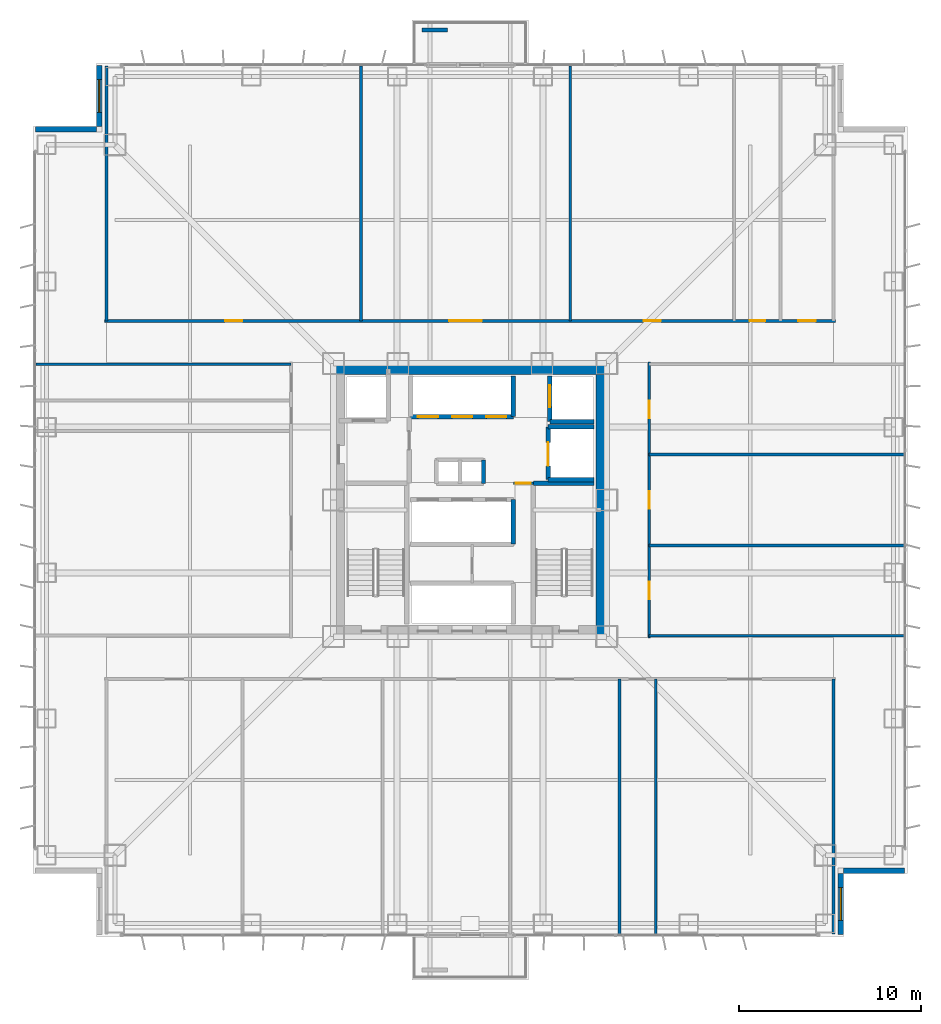
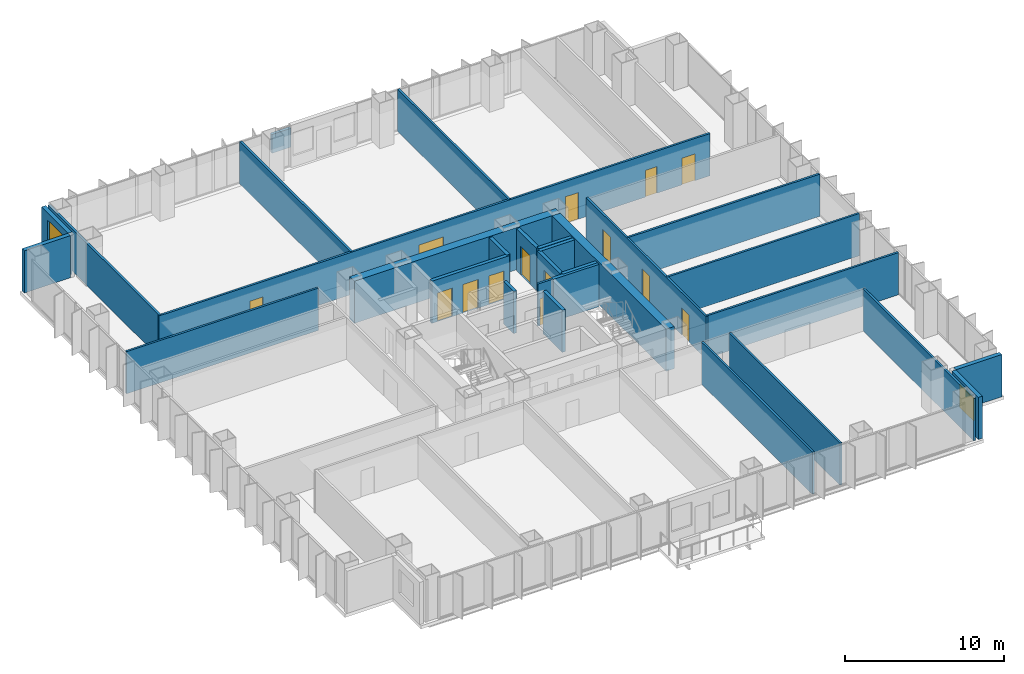
# One storey, part 15 of 21: 30 walls, 14 doors, 2 windows, 16 openings.
"""IFC4 building model written with IfcOpenShell, lengths in metres."""

import ifcopenshell
import ifcopenshell.guid

model = None  # the IFC model being written
_history = None  # IfcOwnerHistory: only IFC2X3 demands one
_inside = {}  # id of a spatial element -> (the spatial element, [elements in it])
_under = {}  # id of a project, library or spatial element -> (it, [spatial elements below it])
_declared = {}  # id of a project -> (the project, [libraries it declares])
_typed = {}  # id of a type object -> (the type object, [elements of that type])
_made_of = {}  # id of a material, layer set ... -> (it, [elements and type objects made of it])


def new_model(schema):
    """Start an empty IFC model of exactly this schema.

    Asked for "IFC4X3", IfcOpenShell would pick the latest addendum, in which some entities
    have other attributes; the version numbers below select the first issue.
    IFC2X3 requires an IfcOwnerHistory on every rooted entity: one is made here for all.
    """
    global model, _history
    if schema == "IFC4X3":
        model = ifcopenshell.file(schema_version=(4, 3, 0, 0))
    else:
        model = ifcopenshell.file(schema=schema)
    _inside.clear()
    _under.clear()
    _declared.clear()
    _typed.clear()
    _made_of.clear()
    _history = None
    if model.schema == "IFC2X3":
        org = make("IfcOrganization", Name="unknown")
        user = make(
            "IfcPersonAndOrganization",
            ThePerson=make("IfcPerson", FamilyName="unknown"),
            TheOrganization=org,
        )
        app = make(
            "IfcApplication",
            ApplicationDeveloper=org,
            Version="unknown",
            ApplicationFullName="unknown",
            ApplicationIdentifier="unknown",
        )
        _history = make(
            "IfcOwnerHistory",
            OwningUser=user,
            OwningApplication=app,
            ChangeAction="ADDED",
            CreationDate=0,
        )
    return model


def make(cls, **values):
    """One entity of the class cls with the attributes given. An attribute that is None is left unset."""
    return model.create_entity(
        cls, **{name: value for name, value in values.items() if value is not None}
    )


def rooted(cls, **values):
    """An entity with a GlobalId (a new one), such as an element, a storey or a relation."""
    return make(cls, GlobalId=ifcopenshell.guid.new(), OwnerHistory=_history, **values)


def si_unit(unit_type, name, prefix=None):
    """IfcSIUnit, for example si_unit("LENGTHUNIT", "METRE", prefix="MILLI")."""
    return make("IfcSIUnit", UnitType=unit_type, Prefix=prefix, Name=name)


def assignment(units):
    """IfcUnitAssignment: the units of a project."""
    return None if units is None else make("IfcUnitAssignment", Units=units)


def point(xyz):
    """IfcCartesianPoint."""
    return None if xyz is None else make("IfcCartesianPoint", Coordinates=xyz)


def direction(xyz):
    """IfcDirection."""
    return None if xyz is None else make("IfcDirection", DirectionRatios=xyz)


def frame(location, z_axis=None, x_axis=None):
    """IfcAxis2Placement3D, a coordinate frame: its origin and axes. An axis left out is left unset."""
    return make(
        "IfcAxis2Placement3D",
        Location=point(location),
        Axis=direction(z_axis),
        RefDirection=direction(x_axis),
    )


def frame_2d(location, x_axis=None):
    """IfcAxis2Placement2D, a coordinate frame in the plane: its origin and x axis."""
    return make(
        "IfcAxis2Placement2D", Location=point(location), RefDirection=direction(x_axis)
    )


def origin():
    """The frame at (0, 0, 0) with its axes left unset."""
    return frame((0.0, 0.0, 0.0))


def place(relative_to, where):
    """IfcLocalPlacement: puts the frame where relative to a parent placement (None: the world)."""
    return make(
        "IfcLocalPlacement", PlacementRelTo=relative_to, RelativePlacement=where
    )


def context(
    kind, dimensions, precision=None, world=None, true_north=None, identifier=None
):
    """IfcGeometricRepresentationContext, for example the 3D "Model" context."""
    return make(
        "IfcGeometricRepresentationContext",
        ContextIdentifier=identifier,
        ContextType=kind,
        CoordinateSpaceDimension=dimensions,
        Precision=precision,
        WorldCoordinateSystem=world,
        TrueNorth=true_north,
    )


def subcontext(parent, identifier, kind, view, scale=None):
    """IfcGeometricRepresentationSubContext, for example "Body" below "Model"."""
    return make(
        "IfcGeometricRepresentationSubContext",
        ContextIdentifier=identifier,
        ContextType=kind,
        ParentContext=parent,
        TargetScale=scale,
        TargetView=view,
    )


def project(units=None, contexts=None):
    """IfcProject with its units and contexts."""
    return rooted(
        "IfcProject",
        Name="project",
        RepresentationContexts=contexts,
        UnitsInContext=assignment(units),
    )


def spatial(cls, under=None, at=None, **own):
    """A site, building, storey or space (cls), placed at a placement, below another one or the project."""
    s = rooted(cls, ObjectPlacement=at, **own)
    if under is not None:
        _under.setdefault(under.id(), (under, []))[1].append(s)
    return s


def profile(cls, at=None, kind="AREA", **sizes):
    """A parametric profile (cls). Its sizes go by their IFC names, for example OverallWidth=200.0."""
    return make(cls, ProfileType=kind, Position=at, **sizes)


def rectangle(**sizes):
    """IfcRectangleProfileDef."""
    return profile("IfcRectangleProfileDef", **sizes)


def extrude(swept, where, along, depth):
    """IfcExtrudedAreaSolid: the profile swept, set in the frame where, extruded along a direction by depth."""
    return make(
        "IfcExtrudedAreaSolid",
        SweptArea=swept,
        Position=where,
        ExtrudedDirection=direction(along),
        Depth=depth,
    )


def shape(context_of_items, identifier, shape_type, items):
    """IfcShapeRepresentation: the items that make up one representation, for example the "Body"."""
    return make(
        "IfcShapeRepresentation",
        ContextOfItems=context_of_items,
        RepresentationIdentifier=identifier,
        RepresentationType=shape_type,
        Items=items,
    )


def material(Name=None, Category=None):
    """IfcMaterial."""
    return make("IfcMaterial", Name=Name, Category=Category)


def layer(
    of_material, thickness, ventilated=None, Name=None, Category=None, Priority=None
):
    """IfcMaterialLayer: one layer of a wall or slab, of a material (None: an air gap)."""
    return make(
        "IfcMaterialLayer",
        Material=of_material,
        LayerThickness=thickness,
        IsVentilated=ventilated,
        Name=Name,
        Category=Category,
        Priority=Priority,
    )


def layer_set(layers, Name=None):
    """IfcMaterialLayerSet."""
    return make("IfcMaterialLayerSet", MaterialLayers=layers, LayerSetName=Name)


def made_of(thing, what):
    """Note that an element or type object is made of a material, layer set ...; save() writes the relation."""
    if what is not None:
        _made_of.setdefault(what.id(), (what, []))[1].append(thing)
    return thing


def type_object(cls, material=None, **own):
    """A type object (cls), such as IfcWallType, which elements share."""
    return made_of(rooted(cls, **own), material)


def element(
    cls,
    number,
    at=None,
    inside=None,
    cuts=None,
    type_object=None,
    material=None,
    context=None,
    identifier="Body",
    shape_type=None,
    held_by="IfcProductDefinitionShape",
    body=None,
    shapes=None,
    **own,
):
    """One element of the class cls, such as IfcWall. Its Tag is "e" and its number.

    at: its placement. inside: the storey or other place that contains it. cuts: it is an
    opening in that element (IfcRelVoidsElement). A single representation is given by context,
    identifier, shape_type and body (its items); several are given by shapes. held_by: the class
    of the entity that holds the representations. save() writes the other relations.
    """
    e = rooted(cls, Tag="e%d" % number, ObjectPlacement=at, **own)
    if body is not None:
        shapes = [shape(context, identifier, shape_type, body)]
    if shapes is not None:
        e.Representation = make(held_by, Representations=shapes)
    if inside is not None:
        _inside.setdefault(inside.id(), (inside, []))[1].append(e)
    if cuts is not None:
        rooted(
            "IfcRelVoidsElement", RelatingBuildingElement=cuts, RelatedOpeningElement=e
        )
    if type_object is not None:
        _typed.setdefault(type_object.id(), (type_object, []))[1].append(e)
    return made_of(e, material)


def fill(opening, filler):
    """IfcRelFillsElement: the door or window that sits in an opening."""
    return rooted(
        "IfcRelFillsElement",
        RelatingOpeningElement=opening,
        RelatedBuildingElement=filler,
    )


def aggregate(whole, parts):
    """IfcRelAggregates: a whole, such as a stair, and the parts it consists of."""
    return rooted("IfcRelAggregates", RelatingObject=whole, RelatedObjects=parts)


def save(model, path):
    """Write the relations noted so far, then the file.

    IfcRelAggregates (storeys below a building ...), IfcRelContainedInSpatialStructure (elements
    in a storey), IfcRelDefinesByType, IfcRelAssociatesMaterial and IfcRelDeclares: one each for
    every whole, place, type object, material and project.
    """
    for whole, parts in _under.values():
        aggregate(whole, parts)
    for where, things in _inside.values():
        rooted(
            "IfcRelContainedInSpatialStructure",
            RelatedElements=things,
            RelatingStructure=where,
        )
    for kind, things in _typed.values():
        rooted("IfcRelDefinesByType", RelatedObjects=things, RelatingType=kind)
    for what, things in _made_of.values():
        rooted("IfcRelAssociatesMaterial", RelatedObjects=things, RelatingMaterial=what)
    for by, libraries in _declared.values():
        rooted("IfcRelDeclares", RelatingContext=by, RelatedDefinitions=libraries)
    model.write(path)


model = new_model("IFC4")

# Units and contexts
model_context = context("Model", 3, precision=1e-05, world=origin(), true_north=direction((0.0, 1.0)))
body_context = subcontext(model_context, "Body", "Model", "MODEL_VIEW")
ifc_project = project(units=[si_unit("LENGTHUNIT", "METRE"), si_unit("AREAUNIT", "SQUARE_METRE"), si_unit("VOLUMEUNIT", "CUBIC_METRE"), si_unit("PLANEANGLEUNIT", "RADIAN"), si_unit("MASSUNIT", "GRAM", prefix="KILO")], contexts=[model_context])

# Site, building, storey
site_placement = place(None, origin())
site = spatial("IfcSite", under=ifc_project, at=site_placement, CompositionType="ELEMENT")
building_placement = place(site_placement, origin())
building = spatial("IfcBuilding", under=site, at=building_placement, Name="Trevonay Congress Spire", CompositionType="ELEMENT")
storey_placement = place(building_placement, frame((0.0, 0.0, 37.5)))
storey = spatial("IfcBuildingStorey", under=building, at=storey_placement, Name="L08", CompositionType="ELEMENT", Elevation=37.5)

# Walls
ifc_material_1 = material(Name="Concrete C60/75", Category="concrete")
ifc_layer_1 = layer(ifc_material_1, 0.60009765625, Name="Concrete C60/75")
ifc_layer_set_1 = layer_set([ifc_layer_1], Name="Concrete C60/75")
wall_type_1 = type_object("IfcWallType", Name="WAL-CORE-600", PredefinedType="SHEAR", material=ifc_layer_set_1)
for number, where, z_axis, x_axis, name in (
    (1, (-7.5, 7.199951171875, 0.0), (0.0, 0.0, 1.0), (1.0, 0.0, 0.0), "L08 North structural core shear wall"),
    (2, (7.199951171875, -7.5, 0.0), (0.0, 0.0, 1.0), (0.0, 1.0, 0.0), "L08 East structural core shear wall"),
):
    element("IfcWall", number, at=place(storey_placement, frame(where, z_axis=z_axis, x_axis=x_axis)), inside=storey, type_object=wall_type_1, Name=name, PredefinedType="SHEAR", context=body_context, shape_type="SweptSolid", body=[
        extrude(rectangle(XDim=15.0, YDim=0.60009765625, at=frame_2d((7.5, 0.0))), origin(), (0.0, 0.0, 1.0), 3.25),
    ])

# Wall, openings, doors
ifc_material_2 = material(Name="Concrete C40/50", Category="concrete")
ifc_layer_2 = layer(ifc_material_2, 0.14990234375, Name="Concrete C40/50")
ifc_layer_set_2 = layer_set([ifc_layer_2], Name="Concrete C40/50")
wall_type_2 = type_object("IfcWallType", Name="WAL-CORR-150", PredefinedType="PARTITIONING", material=ifc_layer_set_2)
wall_1_placement = place(storey_placement, frame((-20.070068359375, 9.830078125, 0.0), z_axis=(0.0, 0.0, 1.0), x_axis=(1.0, 0.0, 0.0)))
wall_1 = element("IfcWall", 3, at=wall_1_placement, inside=storey, type_object=wall_type_2, Name="L08 interior wall WP-L08N-COR", PredefinedType="PARTITIONING", context=body_context, shape_type="SweptSolid", body=[
    extrude(rectangle(XDim=40.14013671875, YDim=0.14990234375, at=frame_2d((20.070068359375, 0.0))), origin(), (0.0, 0.0, 1.0), 3.25),
])
opening_1_placement = place(wall_1_placement, frame((6.6201171875, 0.0, 0.0)))
opening_1 = element("IfcOpeningElement", 4, at=opening_1_placement, cuts=wall_1, Name="Opening D07", PredefinedType="OPENING", context=body_context, shape_type="SweptSolid", body=[
    extrude(rectangle(XDim=0.949951171875, YDim=2.06005859375, at=frame_2d((0.47509765625, 1.030029296875))), frame((0.0, 0.0849609375, 0.0), z_axis=(0.0, -1.0, 0.0), x_axis=(1.0, 0.0, 0.0)), (0.0, 0.0, 1.0), 0.169921875),
])
opening_2_placement = place(wall_1_placement, frame((18.919921875, 0.0, 0.0)))
opening_2 = element("IfcOpeningElement", 5, at=opening_2_placement, cuts=wall_1, Name="Opening D09", PredefinedType="OPENING", context=body_context, shape_type="SweptSolid", body=[
    extrude(rectangle(XDim=1.800048828125, YDim=2.080078125, at=frame_2d((0.89990234375, 1.0400390625))), frame((0.0, 0.0849609375, 0.0), z_axis=(0.0, -1.0, 0.0), x_axis=(1.0, 0.0, 0.0)), (0.0, 0.0, 1.0), 0.169921875),
])
opening_3_placement = place(wall_1_placement, frame((29.594970703125, 0.0, 0.0)))
opening_3 = element("IfcOpeningElement", 6, at=opening_3_placement, cuts=wall_1, Name="Opening D07", PredefinedType="OPENING", context=body_context, shape_type="SweptSolid", body=[
    extrude(rectangle(XDim=0.949951171875, YDim=2.06005859375, at=frame_2d((0.47509765625, 1.030029296875))), frame((0.0, 0.0849609375, 0.0), z_axis=(0.0, -1.0, 0.0), x_axis=(1.0, 0.0, 0.0)), (0.0, 0.0, 1.0), 0.169921875),
])
opening_4_placement = place(wall_1_placement, frame((35.419921875, 0.0, 0.0)))
opening_4 = element("IfcOpeningElement", 7, at=opening_4_placement, cuts=wall_1, Name="Opening D10", PredefinedType="OPENING", context=body_context, shape_type="SweptSolid", body=[
    extrude(rectangle(XDim=0.85009765625, YDim=2.050048828125, at=frame_2d((0.425048828125, 1.02490234375))), frame((0.0, 0.0849609375, 0.0), z_axis=(0.0, -1.0, 0.0), x_axis=(1.0, 0.0, 0.0)), (0.0, 0.0, 1.0), 0.169921875),
])
opening_5_placement = place(wall_1_placement, frame((38.094970703125, 0.0, 0.0)))
opening_5 = element("IfcOpeningElement", 8, at=opening_5_placement, cuts=wall_1, Name="Opening D07", PredefinedType="OPENING", context=body_context, shape_type="SweptSolid", body=[
    extrude(rectangle(XDim=0.949951171875, YDim=2.06005859375, at=frame_2d((0.47509765625, 1.030029296875))), frame((0.0, 0.0849609375, 0.0), z_axis=(0.0, -1.0, 0.0), x_axis=(1.0, 0.0, 0.0)), (0.0, 0.0, 1.0), 0.169921875),
])
ifc_material_3 = material(Name="Pale Anodised Aluminium EN AW-6063-T6", Category="aluminium")
door_type_1 = type_object("IfcDoorType", Name="DOR-CONF-DBL", OperationType="DOUBLE_DOOR_SINGLE_SWING", PredefinedType="DOOR", material=ifc_material_3)
door_1_placement = place(opening_2_placement, origin())
door_1 = element("IfcDoor", 9, at=door_1_placement, inside=storey, type_object=door_type_1, Name="L08 Rapporteur Drafting Salon Door", OperationType="DOUBLE_DOOR_SINGLE_SWING", OverallHeight=2.080078125, OverallWidth=1.800048828125, PredefinedType="DOOR", context=body_context, shape_type="SweptSolid", body=[
    extrude(rectangle(XDim=1.800048828125, YDim=2.080078125, at=frame_2d((0.89990234375, 1.0400390625))), frame((0.0, 0.02490234375, 0.0), z_axis=(0.0, -1.0, 0.0), x_axis=(1.0, 0.0, 0.0)), (0.0, 0.0, 1.0), 0.050048828125),
])
fill(opening_2, door_1)
door_type_2 = type_object("IfcDoorType", Name="DOR-OFFICE-95", OperationType="NOTDEFINED", PredefinedType="DOOR", material=ifc_material_3)
door_2_placement = place(opening_1_placement, origin())
door_2 = element("IfcDoor", 10, at=door_2_placement, inside=storey, type_object=door_type_2, Name="L08 Translation Secretariat Office West Door", OperationType="SINGLE_SWING_RIGHT", OverallHeight=2.06005859375, OverallWidth=0.949951171875, PredefinedType="DOOR", context=body_context, shape_type="SweptSolid", body=[
    extrude(rectangle(XDim=0.949951171875, YDim=2.06005859375, at=frame_2d((0.47509765625, 1.030029296875))), frame((0.0, 0.02490234375, 0.0), z_axis=(0.0, -1.0, 0.0), x_axis=(1.0, 0.0, 0.0)), (0.0, 0.0, 1.0), 0.050048828125),
])
fill(opening_1, door_2)
door_3_placement = place(opening_3_placement, origin())
door_3 = element("IfcDoor", 11, at=door_3_placement, inside=storey, type_object=door_type_2, Name="L08 Congress Operations Office East Door", OperationType="SINGLE_SWING_LEFT", OverallHeight=2.06005859375, OverallWidth=0.949951171875, PredefinedType="DOOR", context=body_context, shape_type="SweptSolid", body=[
    extrude(rectangle(XDim=0.949951171875, YDim=2.06005859375, at=frame_2d((0.47509765625, 1.030029296875))), frame((0.0, 0.02490234375, 0.0), z_axis=(0.0, -1.0, 0.0), x_axis=(1.0, 0.0, 0.0)), (0.0, 0.0, 1.0), 0.050048828125),
])
fill(opening_3, door_3)
door_4_placement = place(opening_5_placement, origin())
door_4 = element("IfcDoor", 12, at=door_4_placement, inside=storey, type_object=door_type_2, Name="L08 Floor Supplies and Copy Room Door", OperationType="SINGLE_SWING_LEFT", OverallHeight=2.06005859375, OverallWidth=0.949951171875, PredefinedType="DOOR", context=body_context, shape_type="SweptSolid", body=[
    extrude(rectangle(XDim=0.949951171875, YDim=2.06005859375, at=frame_2d((0.47509765625, 1.030029296875))), frame((0.0, 0.02490234375, 0.0), z_axis=(0.0, -1.0, 0.0), x_axis=(1.0, 0.0, 0.0)), (0.0, 0.0, 1.0), 0.050048828125),
])
fill(opening_5, door_4)
door_type_3 = type_object("IfcDoorType", Name="DOR-WC-85", OperationType="NOTDEFINED", PredefinedType="DOOR", material=ifc_material_3)
door_5_placement = place(opening_4_placement, origin())
door_5 = element("IfcDoor", 13, at=door_5_placement, inside=storey, type_object=door_type_3, Name="L08 Female Restroom WC Door", OperationType="SINGLE_SWING_RIGHT", OverallHeight=2.050048828125, OverallWidth=0.85009765625, PredefinedType="DOOR", context=body_context, shape_type="SweptSolid", body=[
    extrude(rectangle(XDim=0.85009765625, YDim=2.050048828125, at=frame_2d((0.425048828125, 1.02490234375))), frame((0.0, 0.02490234375, 0.0), z_axis=(0.0, -1.0, 0.0), x_axis=(1.0, 0.0, 0.0)), (0.0, 0.0, 1.0), 0.050048828125),
])
fill(opening_4, door_5)

wall_2_placement = place(storey_placement, frame((9.830078125, -7.570068359375, 0.0), z_axis=(0.0, 0.0, 1.0), x_axis=(0.0, 1.0, 0.0)))
wall_2 = element("IfcWall", 14, at=wall_2_placement, inside=storey, type_object=wall_type_2, Name="L08 interior wall WP-L08E-COR", PredefinedType="PARTITIONING", context=body_context, shape_type="SweptSolid", body=[
    extrude(rectangle(XDim=15.14013671875, YDim=0.14990234375, at=frame_2d((7.570068359375, 0.0))), origin(), (0.0, 0.0, 1.0), 3.25),
])
opening_6_placement = place(wall_2_placement, frame((2.1201171875, 0.0, 0.0)))
opening_6 = element("IfcOpeningElement", 15, at=opening_6_placement, cuts=wall_2, Name="Opening D07", PredefinedType="OPENING", context=body_context, shape_type="SweptSolid", body=[
    extrude(rectangle(XDim=0.949951171875, YDim=2.06005859375, at=frame_2d((0.47509765625, 1.030029296875))), frame((0.0, 0.0849609375, 0.0), z_axis=(0.0, -1.0, 0.0), x_axis=(1.0, 0.0, 0.0)), (0.0, 0.0, 1.0), 0.169921875),
])
opening_7_placement = place(wall_2_placement, frame((7.094970703125, 0.0, 0.0)))
opening_7 = element("IfcOpeningElement", 16, at=opening_7_placement, cuts=wall_2, Name="Opening D07", PredefinedType="OPENING", context=body_context, shape_type="SweptSolid", body=[
    extrude(rectangle(XDim=0.949951171875, YDim=2.06005859375, at=frame_2d((0.47509765625, 1.030029296875))), frame((0.0, 0.0849609375, 0.0), z_axis=(0.0, -1.0, 0.0), x_axis=(1.0, 0.0, 0.0)), (0.0, 0.0, 1.0), 0.169921875),
])
opening_8_placement = place(wall_2_placement, frame((12.070068359375, 0.0, 0.0)))
opening_8 = element("IfcOpeningElement", 17, at=opening_8_placement, cuts=wall_2, Name="Opening D07", PredefinedType="OPENING", context=body_context, shape_type="SweptSolid", body=[
    extrude(rectangle(XDim=0.949951171875, YDim=2.06005859375, at=frame_2d((0.47509765625, 1.030029296875))), frame((0.0, 0.0849609375, 0.0), z_axis=(0.0, -1.0, 0.0), x_axis=(1.0, 0.0, 0.0)), (0.0, 0.0, 1.0), 0.169921875),
])
door_6_placement = place(opening_6_placement, origin())
door_6 = element("IfcDoor", 18, at=door_6_placement, inside=storey, type_object=door_type_2, Name="L08 Housekeeping and Linen Room Door", OperationType="SINGLE_SWING_RIGHT", OverallHeight=2.06005859375, OverallWidth=0.949951171875, PredefinedType="DOOR", context=body_context, shape_type="SweptSolid", body=[
    extrude(rectangle(XDim=0.949951171875, YDim=2.06005859375, at=frame_2d((0.47509765625, 1.030029296875))), frame((0.0, 0.02490234375, 0.0), z_axis=(0.0, -1.0, 0.0), x_axis=(1.0, 0.0, 0.0)), (0.0, 0.0, 1.0), 0.050048828125),
])
fill(opening_6, door_6)
door_7_placement = place(opening_7_placement, origin())
door_7 = element("IfcDoor", 19, at=door_7_placement, inside=storey, type_object=door_type_2, Name="L08 Hotel Business Office Door", OperationType="SINGLE_SWING_LEFT", OverallHeight=2.06005859375, OverallWidth=0.949951171875, PredefinedType="DOOR", context=body_context, shape_type="SweptSolid", body=[
    extrude(rectangle(XDim=0.949951171875, YDim=2.06005859375, at=frame_2d((0.47509765625, 1.030029296875))), frame((0.0, 0.02490234375, 0.0), z_axis=(0.0, -1.0, 0.0), x_axis=(1.0, 0.0, 0.0)), (0.0, 0.0, 1.0), 0.050048828125),
])
fill(opening_7, door_7)
door_8_placement = place(opening_8_placement, origin())
door_8 = element("IfcDoor", 20, at=door_8_placement, inside=storey, type_object=door_type_2, Name="L08 Valet Laundry Room Door", OperationType="SINGLE_SWING_RIGHT", OverallHeight=2.06005859375, OverallWidth=0.949951171875, PredefinedType="DOOR", context=body_context, shape_type="SweptSolid", body=[
    extrude(rectangle(XDim=0.949951171875, YDim=2.06005859375, at=frame_2d((0.47509765625, 1.030029296875))), frame((0.0, 0.02490234375, 0.0), z_axis=(0.0, -1.0, 0.0), x_axis=(1.0, 0.0, 0.0)), (0.0, 0.0, 1.0), 0.050048828125),
])
fill(opening_8, door_8)

# Wall, opening, window
ifc_material_4 = material(Name="Precast concrete C40/50", Category="concrete")
ifc_layer_3 = layer(ifc_material_4, 0.300048828125, Name="Precast concrete C40/50")
ifc_layer_set_3 = layer_set([ifc_layer_3], Name="Precast concrete C40/50")
wall_type_3 = type_object("IfcWallType", Name="WAL-EXT-PRECAST-300", PredefinedType="SOLIDWALL", material=ifc_layer_set_3)
wall_3_placement = place(storey_placement, frame((20.35009765625, -23.85009765625, 0.0), z_axis=(0.0, 0.0, 1.0), x_axis=(0.0, 1.0, 0.0)))
wall_3 = element("IfcWall", 21, at=wall_3_placement, inside=storey, type_object=wall_type_3, Name="L08 SE re-entrant notch exterior wall 1", PredefinedType="SOLIDWALL", context=body_context, shape_type="SweptSolid", body=[
    extrude(rectangle(XDim=3.35009765625, YDim=0.300048828125, at=frame_2d((1.675048828125, 0.0))), origin(), (0.0, 0.0, 1.0), 3.25),
])
opening_9_placement = place(wall_3_placement, frame((0.77490234375, 0.0, 0.89990234375)))
opening_9 = element("IfcOpeningElement", 22, at=opening_9_placement, cuts=wall_3, Name="Opening WN01", PredefinedType="OPENING", context=body_context, shape_type="SweptSolid", body=[
    extrude(rectangle(XDim=1.800048828125, YDim=1.800048828125, at=frame_2d((0.89990234375, 0.89990234375))), frame((0.0, 0.16015625, 0.0), z_axis=(0.0, -1.0, 0.0), x_axis=(1.0, 0.0, 0.0)), (0.0, 0.0, 1.0), 0.320068359375),
])
ifc_material_5 = material(Name="Insulated Low-E Vision Glass IGU", Category="glass")
window_type = type_object("IfcWindowType", Name="WIN-HOTEL-180X180", PartitioningType="SINGLE_PANEL", PredefinedType="WINDOW", material=ifc_material_5)
window_1_placement = place(opening_9_placement, origin())
window_1 = element("IfcWindow", 23, at=window_1_placement, inside=storey, type_object=window_type, Name="L08 SE corner notch window", OverallHeight=1.800048828125, OverallWidth=1.800048828125, PartitioningType="SINGLE_PANEL", PredefinedType="WINDOW", context=body_context, shape_type="SweptSolid", body=[
    extrude(rectangle(XDim=1.800048828125, YDim=1.800048828125, at=frame_2d((0.89990234375, 0.89990234375))), frame((0.0, 0.030029296875, 0.0), z_axis=(0.0, -1.0, 0.0), x_axis=(1.0, 0.0, 0.0)), (0.0, 0.0, 1.0), 0.06005859375),
])
fill(opening_9, window_1)

# Wall
wall_4_placement = place(storey_placement, frame((23.85009765625, -20.35009765625, 0.0), z_axis=(0.0, 0.0, 1.0), x_axis=(-1.0, 0.0, 0.0)))
element("IfcWall", 24, at=wall_4_placement, inside=storey, type_object=wall_type_3, Name="L08 SE re-entrant notch exterior wall 2", PredefinedType="SOLIDWALL", context=body_context, shape_type="SweptSolid", body=[
    extrude(rectangle(XDim=3.35009765625, YDim=0.300048828125, at=frame_2d((1.675048828125, 0.0))), origin(), (0.0, 0.0, 1.0), 3.25),
])

# Wall, opening, window
wall_5_placement = place(storey_placement, frame((-20.35009765625, 23.85009765625, 0.0), z_axis=(0.0, 0.0, 1.0), x_axis=(0.0, -1.0, 0.0)))
wall_5 = element("IfcWall", 25, at=wall_5_placement, inside=storey, type_object=wall_type_3, Name="L08 NW re-entrant notch exterior wall 1", PredefinedType="SOLIDWALL", context=body_context, shape_type="SweptSolid", body=[
    extrude(rectangle(XDim=3.35009765625, YDim=0.300048828125, at=frame_2d((1.675048828125, 0.0))), origin(), (0.0, 0.0, 1.0), 3.25),
])
opening_10_placement = place(wall_5_placement, frame((0.77490234375, 0.0, 0.89990234375)))
opening_10 = element("IfcOpeningElement", 26, at=opening_10_placement, cuts=wall_5, Name="Opening WN01", PredefinedType="OPENING", context=body_context, shape_type="SweptSolid", body=[
    extrude(rectangle(XDim=1.800048828125, YDim=1.800048828125, at=frame_2d((0.89990234375, 0.89990234375))), frame((0.0, 0.16015625, 0.0), z_axis=(0.0, -1.0, 0.0), x_axis=(1.0, 0.0, 0.0)), (0.0, 0.0, 1.0), 0.320068359375),
])
window_2_placement = place(opening_10_placement, origin())
window_2 = element("IfcWindow", 27, at=window_2_placement, inside=storey, type_object=window_type, Name="L08 NW corner notch window", OverallHeight=1.800048828125, OverallWidth=1.800048828125, PartitioningType="SINGLE_PANEL", PredefinedType="WINDOW", context=body_context, shape_type="SweptSolid", body=[
    extrude(rectangle(XDim=1.800048828125, YDim=1.800048828125, at=frame_2d((0.89990234375, 0.89990234375))), frame((0.0, 0.030029296875, 0.0), z_axis=(0.0, -1.0, 0.0), x_axis=(1.0, 0.0, 0.0)), (0.0, 0.0, 1.0), 0.06005859375),
])
fill(opening_10, window_2)

# Wall
wall_6_placement = place(storey_placement, frame((-23.85009765625, 20.35009765625, 0.0), z_axis=(0.0, 0.0, 1.0), x_axis=(1.0, 0.0, 0.0)))
element("IfcWall", 28, at=wall_6_placement, inside=storey, type_object=wall_type_3, Name="L08 NW re-entrant notch exterior wall 2", PredefinedType="SOLIDWALL", context=body_context, shape_type="SweptSolid", body=[
    extrude(rectangle(XDim=3.35009765625, YDim=0.300048828125, at=frame_2d((1.675048828125, 0.0))), origin(), (0.0, 0.0, 1.0), 3.25),
])

# Wall, opening, door
ifc_layer_4 = layer(ifc_material_2, 0.14990234375, Name="Concrete C40/50")
ifc_layer_set_4 = layer_set([ifc_layer_4], Name="Concrete C40/50")
wall_type_4 = type_object("IfcWallType", Name="WAL-PART-150", PredefinedType="PARTITIONING", material=ifc_layer_set_4)
wall_7_placement = place(storey_placement, frame((2.3798828125, 0.919921875, 0.0), z_axis=(0.0, 0.0, 1.0), x_axis=(1.0, 0.0, 0.0)))
wall_7 = element("IfcWall", 29, at=wall_7_placement, inside=storey, type_object=wall_type_4, Name="L08 interior wall CW-CSRV-N-L08", PredefinedType="PARTITIONING", context=body_context, shape_type="SweptSolid", body=[
    extrude(rectangle(XDim=1.090087890625, YDim=0.14990234375, at=frame_2d((0.544921875, 0.0))), origin(), (0.0, 0.0, 1.0), 3.25),
])
opening_11_placement = place(wall_7_placement, frame((0.135009765625, 0.0, 0.0)))
opening_11 = element("IfcOpeningElement", 30, at=opening_11_placement, cuts=wall_7, Name="Opening D13", PredefinedType="OPENING", context=body_context, shape_type="SweptSolid", body=[
    extrude(rectangle(XDim=0.820068359375, YDim=2.050048828125, at=frame_2d((0.41015625, 1.02490234375))), frame((0.0, 0.0849609375, 0.0), z_axis=(0.0, -1.0, 0.0), x_axis=(1.0, 0.0, 0.0)), (0.0, 0.0, 1.0), 0.169921875),
])
ifc_material_6 = material(Name="Steel ASTM A572 Grade 50", Category="steel")
door_type_4 = type_object("IfcDoorType", Name="DOR-UTIL-80", OperationType="NOTDEFINED", PredefinedType="DOOR", material=ifc_material_6)
door_9_placement = place(opening_11_placement, origin())
door_9 = element("IfcDoor", 31, at=door_9_placement, inside=storey, type_object=door_type_4, Name="L08 Core Service Pocket Door", OperationType="SINGLE_SWING_LEFT", OverallHeight=2.050048828125, OverallWidth=0.820068359375, PredefinedType="DOOR", context=body_context, shape_type="SweptSolid", body=[
    extrude(rectangle(XDim=0.820068359375, YDim=2.050048828125, at=frame_2d((0.41015625, 1.02490234375))), frame((0.0, 0.02490234375, 0.0), z_axis=(0.0, -1.0, 0.0), x_axis=(1.0, 0.0, 0.0)), (0.0, 0.0, 1.0), 0.050048828125),
])
fill(opening_11, door_9)

# Walls
for number, where, z_axis, x_axis, name in (
    (32, (8.199951171875, -23.820068359375, 0.0), (0.0, 0.0, 1.0), (0.0, 1.0, 0.0), "L08 interior wall WP-L08S-DIV5"),
    (33, (10.199951171875, -23.820068359375, 0.0), (0.0, 0.0, 1.0), (0.0, 1.0, 0.0), "L08 interior wall WP-L08S-DIV6"),
    (34, (19.949951171875, -23.820068359375, 0.0), (0.0, 0.0, 1.0), (0.0, 1.0, 0.0), "L08 interior wall WP-L08S-DIV7"),
    (35, (5.5, 9.830078125, 0.0), (0.0, 0.0, 1.0), (0.0, 1.0, 0.0), "L08 interior wall WP-L08N-DIV3"),
    (36, (-23.820068359375, 7.449951171875, 0.0), (0.0, 0.0, 1.0), (1.0, 0.0, 0.0), "L08 interior wall WP-L08W-DIV3"),
    (37, (9.830078125, -7.449951171875, 0.0), (0.0, 0.0, 1.0), (1.0, 0.0, 0.0), "L08 interior wall WP-L08E-DIV1"),
    (38, (9.830078125, -2.5, 0.0), (0.0, 0.0, 1.0), (1.0, 0.0, 0.0), "L08 interior wall WP-L08E-DIV2"),
    (39, (9.830078125, 2.5, 0.0), (0.0, 0.0, 1.0), (1.0, 0.0, 0.0), "L08 interior wall WP-L08E-DIV3"),
):
    element("IfcWall", number, at=place(storey_placement, frame(where, z_axis=z_axis, x_axis=x_axis)), inside=storey, type_object=wall_type_4, Name=name, PredefinedType="PARTITIONING", context=body_context, shape_type="SweptSolid", body=[
        extrude(rectangle(XDim=13.989990234375, YDim=0.14990234375, at=frame_2d((6.9951171875, 0.0))), origin(), (0.0, 0.0, 1.0), 3.25),
    ])
ifc_layer_5 = layer(ifc_material_2, 0.219970703125, Name="Concrete C40/50")
ifc_layer_set_5 = layer_set([ifc_layer_5], Name="Concrete C40/50")
wall_type_5 = type_object("IfcWallType", Name="WAL-SHAFT-220", PredefinedType="PARTITIONING", material=ifc_layer_set_5)
wall_8_placement = place(storey_placement, frame((0.75, 0.89990234375, 0.0), z_axis=(0.0, 0.0, 1.0), x_axis=(0.0, 1.0, 0.0)))
element("IfcWall", 40, at=wall_8_placement, inside=storey, type_object=wall_type_5, Name="L08 interior shaft wall WSH-L08-RSR-E", PredefinedType="PARTITIONING", context=body_context, shape_type="SweptSolid", body=[
    extrude(rectangle(XDim=1.300048828125, YDim=0.219970703125, at=frame_2d((0.64990234375, 0.0))), origin(), (0.0, 0.0, 1.0), 3.25),
])
ifc_layer_6 = layer(ifc_material_2, 0.25, Name="Concrete C40/50")
ifc_layer_set_6 = layer_set([ifc_layer_6], Name="Concrete C40/50")
wall_type_6 = type_object("IfcWallType", Name="WAL-SHAFT-250", PredefinedType="SHEAR", material=ifc_layer_set_6)
wall_9_placement = place(storey_placement, frame((2.3798828125, -2.419921875, 0.0), z_axis=(0.0, 0.0, 1.0), x_axis=(0.0, 1.0, 0.0)))
element("IfcWall", 41, at=wall_9_placement, inside=storey, type_object=wall_type_6, Name="L08 interior shaft wall WSH-L08-B2-E", PredefinedType="SHEAR", context=body_context, shape_type="SweptSolid", body=[
    extrude(rectangle(XDim=2.43994140625, YDim=0.25, at=frame_2d((1.219970703125, 0.0))), origin(), (0.0, 0.0, 1.0), 3.25),
])

# Wall, openings, doors
wall_10_placement = place(storey_placement, frame((-3.260009765625, 4.580078125, 0.0), z_axis=(0.0, 0.0, 1.0), x_axis=(1.0, 0.0, 0.0)))
wall_10 = element("IfcWall", 42, at=wall_10_placement, inside=storey, type_object=wall_type_6, Name="L08 interior shaft wall WSH-L08-B3-S", PredefinedType="SHEAR", context=body_context, shape_type="SweptSolid", body=[
    extrude(rectangle(XDim=5.639892578125, YDim=0.25, at=frame_2d((2.81982421875, 0.0))), origin(), (0.0, 0.0, 1.0), 3.25),
])
opening_12_placement = place(wall_10_placement, frame((0.39990234375, 0.0, 0.0)))
opening_12 = element("IfcOpeningElement", 43, at=opening_12_placement, cuts=wall_10, Name="Opening LD03", PredefinedType="OPENING", context=body_context, shape_type="SweptSolid", body=[
    extrude(rectangle(XDim=1.10009765625, YDim=2.199951171875, at=frame_2d((0.550048828125, 1.10009765625))), frame((0.0, 0.135009765625, 0.0), z_axis=(0.0, -1.0, 0.0), x_axis=(1.0, 0.0, 0.0)), (0.0, 0.0, 1.0), 0.27001953125),
])
opening_13_placement = place(wall_10_placement, frame((2.280029296875, 0.0, 0.0)))
opening_13 = element("IfcOpeningElement", 44, at=opening_13_placement, cuts=wall_10, Name="Opening LD03", PredefinedType="OPENING", context=body_context, shape_type="SweptSolid", body=[
    extrude(rectangle(XDim=1.10009765625, YDim=2.199951171875, at=frame_2d((0.550048828125, 1.10009765625))), frame((0.0, 0.135009765625, 0.0), z_axis=(0.0, -1.0, 0.0), x_axis=(1.0, 0.0, 0.0)), (0.0, 0.0, 1.0), 0.27001953125),
])
opening_14_placement = place(wall_10_placement, frame((4.159912109375, 0.0, 0.0)))
opening_14 = element("IfcOpeningElement", 45, at=opening_14_placement, cuts=wall_10, Name="Opening LD03", PredefinedType="OPENING", context=body_context, shape_type="SweptSolid", body=[
    extrude(rectangle(XDim=1.10009765625, YDim=2.199951171875, at=frame_2d((0.550048828125, 1.10009765625))), frame((0.0, 0.135009765625, 0.0), z_axis=(0.0, -1.0, 0.0), x_axis=(1.0, 0.0, 0.0)), (0.0, 0.0, 1.0), 0.27001953125),
])
door_type_5 = type_object("IfcDoorType", Name="DOR-LIFT-LD03", OperationType="DOUBLE_DOOR_SLIDING", PredefinedType="DOOR", material=ifc_material_3)
door_10_placement = place(opening_12_placement, origin())
door_10 = element("IfcDoor", 46, at=door_10_placement, inside=storey, type_object=door_type_5, Name="L08 Passenger lift PL-07 landing door", OperationType="DOUBLE_DOOR_SLIDING", OverallHeight=2.199951171875, OverallWidth=1.10009765625, PredefinedType="DOOR", context=body_context, shape_type="SweptSolid", body=[
    extrude(rectangle(XDim=1.10009765625, YDim=2.199951171875, at=frame_2d((0.550048828125, 1.10009765625))), frame((0.0, 0.02490234375, 0.0), z_axis=(0.0, -1.0, 0.0), x_axis=(1.0, 0.0, 0.0)), (0.0, 0.0, 1.0), 0.050048828125),
])
fill(opening_12, door_10)
door_11_placement = place(opening_13_placement, origin())
door_11 = element("IfcDoor", 47, at=door_11_placement, inside=storey, type_object=door_type_5, Name="L08 Passenger lift PL-08 landing door", OperationType="DOUBLE_DOOR_SLIDING", OverallHeight=2.199951171875, OverallWidth=1.10009765625, PredefinedType="DOOR", context=body_context, shape_type="SweptSolid", body=[
    extrude(rectangle(XDim=1.10009765625, YDim=2.199951171875, at=frame_2d((0.550048828125, 1.10009765625))), frame((0.0, 0.02490234375, 0.0), z_axis=(0.0, -1.0, 0.0), x_axis=(1.0, 0.0, 0.0)), (0.0, 0.0, 1.0), 0.050048828125),
])
fill(opening_13, door_11)
door_12_placement = place(opening_14_placement, origin())
door_12 = element("IfcDoor", 48, at=door_12_placement, inside=storey, type_object=door_type_5, Name="L08 Passenger lift PL-09 landing door", OperationType="DOUBLE_DOOR_SLIDING", OverallHeight=2.199951171875, OverallWidth=1.10009765625, PredefinedType="DOOR", context=body_context, shape_type="SweptSolid", body=[
    extrude(rectangle(XDim=1.10009765625, YDim=2.199951171875, at=frame_2d((0.550048828125, 1.10009765625))), frame((0.0, 0.02490234375, 0.0), z_axis=(0.0, -1.0, 0.0), x_axis=(1.0, 0.0, 0.0)), (0.0, 0.0, 1.0), 0.050048828125),
])
fill(opening_14, door_12)

# Walls
wall_11_placement = place(storey_placement, frame((2.3798828125, 4.580078125, 0.0), z_axis=(0.0, 0.0, 1.0), x_axis=(0.0, 1.0, 0.0)))
element("IfcWall", 49, at=wall_11_placement, inside=storey, type_object=wall_type_6, Name="L08 interior shaft wall WSH-L08-B3-E", PredefinedType="SHEAR", context=body_context, shape_type="SweptSolid", body=[
    extrude(rectangle(XDim=2.219970703125, YDim=0.25, at=frame_2d((1.10986328125, 0.0))), origin(), (0.0, 0.0, 1.0), 3.25),
])
wall_12_placement = place(storey_placement, frame((4.3798828125, 4.300048828125, 0.0), z_axis=(0.0, 0.0, 1.0), x_axis=(1.0, 0.0, 0.0)))
element("IfcWall", 50, at=wall_12_placement, inside=storey, type_object=wall_type_6, Name="L08 interior shaft wall WSH-L08-FF2-S", PredefinedType="SHEAR", context=body_context, shape_type="SweptSolid", body=[
    extrude(rectangle(XDim=2.420166015625, YDim=0.25, at=frame_2d((1.2099609375, 0.0))), origin(), (0.0, 0.0, 1.0), 3.25),
])

# Wall, opening, door
wall_13_placement = place(storey_placement, frame((4.3798828125, 4.300048828125, 0.0), z_axis=(0.0, 0.0, 1.0), x_axis=(0.0, 1.0, 0.0)))
wall_13 = element("IfcWall", 51, at=wall_13_placement, inside=storey, type_object=wall_type_6, Name="L08 interior shaft wall WSH-L08-FF2-W", PredefinedType="SHEAR", context=body_context, shape_type="SweptSolid", body=[
    extrude(rectangle(XDim=2.5, YDim=0.25, at=frame_2d((1.25, 0.0))), origin(), (0.0, 0.0, 1.0), 3.25),
])
opening_15_placement = place(wall_13_placement, frame((0.800048828125, 0.0, 0.0)))
opening_15 = element("IfcOpeningElement", 52, at=opening_15_placement, cuts=wall_13, Name="Opening LD04", PredefinedType="OPENING", context=body_context, shape_type="SweptSolid", body=[
    extrude(rectangle(XDim=1.199951171875, YDim=2.199951171875, at=frame_2d((0.60009765625, 1.10009765625))), frame((0.0, 0.135009765625, 0.0), z_axis=(0.0, -1.0, 0.0), x_axis=(1.0, 0.0, 0.0)), (0.0, 0.0, 1.0), 0.27001953125),
])
door_type_6 = type_object("IfcDoorType", Name="DOR-LIFT-LD04", OperationType="DOUBLE_DOOR_SLIDING", PredefinedType="DOOR", material=ifc_material_6)
door_13_placement = place(opening_15_placement, origin())
door_13 = element("IfcDoor", 53, at=door_13_placement, inside=storey, type_object=door_type_6, Name="L08 Firefighting lift FFL-02 landing door", OperationType="DOUBLE_DOOR_SLIDING", OverallHeight=2.199951171875, OverallWidth=1.199951171875, PredefinedType="DOOR", context=body_context, shape_type="SweptSolid", body=[
    extrude(rectangle(XDim=1.199951171875, YDim=2.199951171875, at=frame_2d((0.60009765625, 1.10009765625))), frame((0.0, 0.02490234375, 0.0), z_axis=(0.0, -1.0, 0.0), x_axis=(1.0, 0.0, 0.0)), (0.0, 0.0, 1.0), 0.050048828125),
])
fill(opening_15, door_13)

wall_14_placement = place(storey_placement, frame((4.280029296875, 1.1201171875, 0.0), z_axis=(0.0, 0.0, 1.0), x_axis=(0.0, 1.0, 0.0)))
wall_14 = element("IfcWall", 54, at=wall_14_placement, inside=storey, type_object=wall_type_6, Name="L08 interior shaft wall WSH-L08-SV-W", PredefinedType="SHEAR", context=body_context, shape_type="SweptSolid", body=[
    extrude(rectangle(XDim=2.89990234375, YDim=0.25, at=frame_2d((1.449951171875, 0.0))), origin(), (0.0, 0.0, 1.0), 3.25),
])
opening_16_placement = place(wall_14_placement, frame((0.75, 0.0, 0.0)))
opening_16 = element("IfcOpeningElement", 55, at=opening_16_placement, cuts=wall_14, Name="Opening LD05", PredefinedType="OPENING", context=body_context, shape_type="SweptSolid", body=[
    extrude(rectangle(XDim=1.300048828125, YDim=2.300048828125, at=frame_2d((0.64990234375, 1.14990234375))), frame((0.0, 0.135009765625, 0.0), z_axis=(0.0, -1.0, 0.0), x_axis=(1.0, 0.0, 0.0)), (0.0, 0.0, 1.0), 0.27001953125),
])
door_type_7 = type_object("IfcDoorType", Name="DOR-LIFT-LD05", OperationType="DOUBLE_DOOR_SLIDING", PredefinedType="DOOR", material=ifc_material_6)
door_14_placement = place(opening_16_placement, origin())
door_14 = element("IfcDoor", 56, at=door_14_placement, inside=storey, type_object=door_type_7, Name="L08 Goods lift SVL-01 landing door", OperationType="DOUBLE_DOOR_SLIDING", OverallHeight=2.300048828125, OverallWidth=1.300048828125, PredefinedType="DOOR", context=body_context, shape_type="SweptSolid", body=[
    extrude(rectangle(XDim=1.300048828125, YDim=2.300048828125, at=frame_2d((0.64990234375, 1.14990234375))), frame((0.0, 0.02490234375, 0.0), z_axis=(0.0, -1.0, 0.0), x_axis=(1.0, 0.0, 0.0)), (0.0, 0.0, 1.0), 0.050048828125),
])
fill(opening_16, door_14)

# Walls
for number, where, z_axis, x_axis, name in (
    (57, (4.280029296875, 1.1201171875, 0.0), (0.0, 0.0, 1.0), (1.0, 0.0, 0.0), "L08 interior shaft wall WSH-L08-SV-S"),
    (58, (4.280029296875, 4.02001953125, 0.0), (0.0, 0.0, 1.0), (1.0, 0.0, 0.0), "L08 interior shaft wall WSH-L08-SV-N"),
):
    element("IfcWall", number, at=place(storey_placement, frame(where, z_axis=z_axis, x_axis=x_axis)), inside=storey, type_object=wall_type_6, Name=name, PredefinedType="SHEAR", context=body_context, shape_type="SweptSolid", body=[
        extrude(rectangle(XDim=2.52001953125, YDim=0.25, at=frame_2d((1.260009765625, 0.0))), origin(), (0.0, 0.0, 1.0), 3.25),
    ])
ifc_layer_7 = layer(ifc_material_2, 0.25, Name="Concrete C40/50")
ifc_layer_set_7 = layer_set([ifc_layer_7], Name="Concrete C40/50")
wall_type_7 = type_object("IfcWallType", Name="WAL-SHAFT-LB-250", PredefinedType="SHEAR", material=ifc_layer_set_7)
wall_15_placement = place(storey_placement, frame((3.469970703125, 0.919921875, 0.0), z_axis=(0.0, 0.0, 1.0), x_axis=(1.0, 0.0, 0.0)))
element("IfcWall", 59, at=wall_15_placement, inside=storey, type_object=wall_type_7, Name="L08 interior shaft wall WSH-L08-ST2-N", PredefinedType="SHEAR", context=body_context, shape_type="SweptSolid", body=[
    extrude(rectangle(XDim=3.330078125, YDim=0.25, at=frame_2d((1.6650390625, 0.0))), origin(), (0.0, 0.0, 1.0), 3.25),
])
ifc_layer_8 = layer(ifc_material_4, 0.199951171875, Name="Precast concrete C40/50")
ifc_layer_set_8 = layer_set([ifc_layer_8], Name="Precast concrete C40/50")
wall_type_8 = type_object("IfcWallType", Name="WAL-TREE-PLANTER-200", PredefinedType="PARAPET", material=ifc_layer_set_8)
wall_16_placement = place(storey_placement, frame((-2.64990234375, 25.800048828125, 0.0), z_axis=(0.0, 0.0, 1.0), x_axis=(1.0, 0.0, 0.0)))
element("IfcWall", 60, at=wall_16_placement, inside=storey, type_object=wall_type_8, Name="L08 N cantilevered balcony tree planter box", PredefinedType="PARAPET", context=body_context, shape_type="SweptSolid", body=[
    extrude(rectangle(XDim=1.39990234375, YDim=0.199951171875, at=frame_2d((0.699951171875, 0.0))), origin(), (0.0, 0.0, 1.0), 1.449951171875),
])
ifc_layer_9 = layer(ifc_material_2, 0.1650390625, Name="Concrete C40/50")
ifc_layer_set_9 = layer_set([ifc_layer_9], Name="Concrete C40/50")
wall_type_9 = type_object("IfcWallType", Name="WAL-WET-165", PredefinedType="PLUMBINGWALL", material=ifc_layer_set_9)
for number, where, z_axis, x_axis, name in (
    (61, (-19.949951171875, 9.830078125, 0.0), (0.0, 0.0, 1.0), (0.0, 1.0, 0.0), "L08 interior wall WP-L08N-DIV1"),
    (62, (-6.0, 9.830078125, 0.0), (0.0, 0.0, 1.0), (0.0, 1.0, 0.0), "L08 interior wall WP-L08N-DIV2"),
):
    element("IfcWall", number, at=place(storey_placement, frame(where, z_axis=z_axis, x_axis=x_axis)), inside=storey, type_object=wall_type_9, Name=name, PredefinedType="PLUMBINGWALL", context=body_context, shape_type="SweptSolid", body=[
        extrude(rectangle(XDim=13.989990234375, YDim=0.1650390625, at=frame_2d((6.9951171875, 0.0))), origin(), (0.0, 0.0, 1.0), 3.25),
    ])

save(model, "model.ifc")
